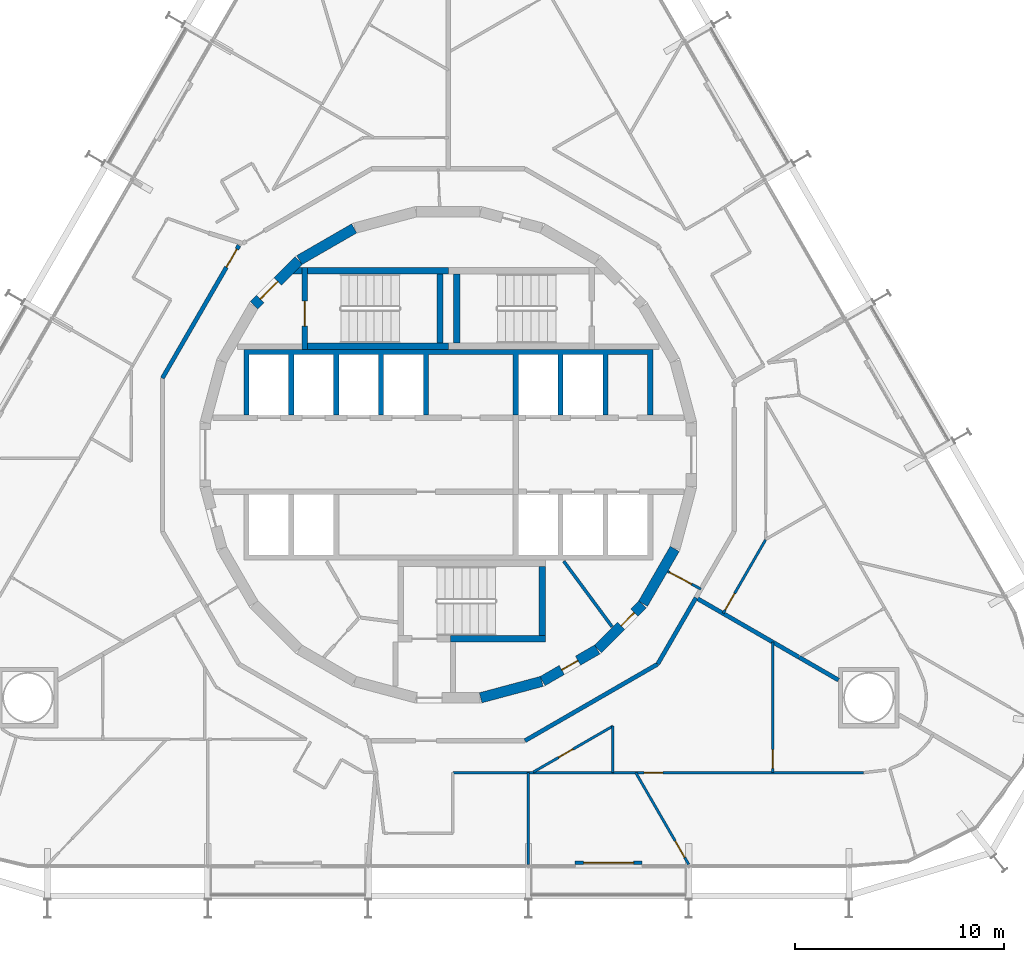
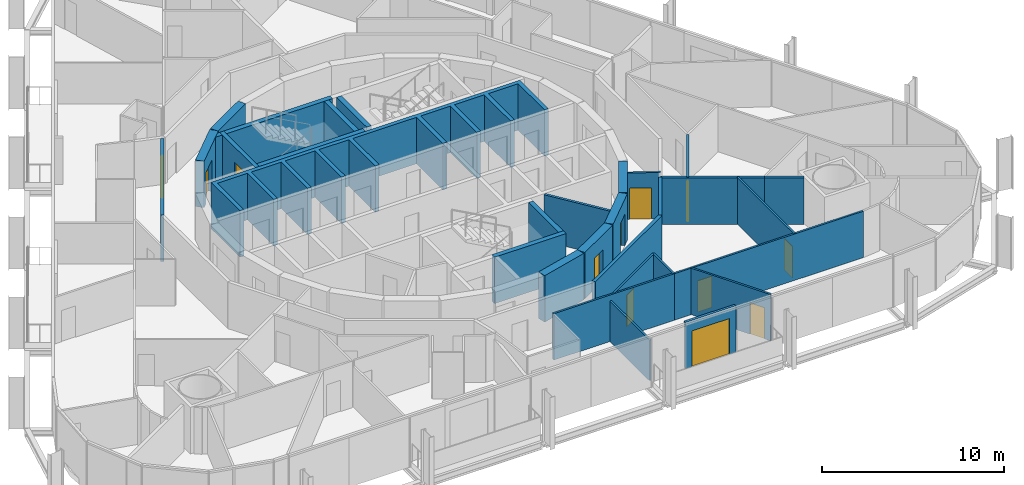
# One storey, part 15 of 20: 31 walls, 12 doors, 12 openings.
"""IFC4 building model written with IfcOpenShell, lengths in metres."""

from ifc_helpers import new_model, si_unit, direction, frame, frame_2d, origin, place, context, subcontext, project, spatial, polyline, rectangle, outline, extrude, material, layer, layer_set, type_object, element, fill, save


model = new_model("IFC4")

# Units and contexts
model_context = context("Model", 3, precision=1e-05, world=origin(), true_north=direction((0.0, 1.0)))
body_context = subcontext(model_context, "Body", "Model", "MODEL_VIEW")
ifc_project = project(units=[si_unit("LENGTHUNIT", "METRE"), si_unit("AREAUNIT", "SQUARE_METRE"), si_unit("VOLUMEUNIT", "CUBIC_METRE"), si_unit("PLANEANGLEUNIT", "RADIAN"), si_unit("MASSUNIT", "GRAM", prefix="KILO")], contexts=[model_context])

# Site, building, storey
site_placement = place(None, origin())
site = spatial("IfcSite", under=ifc_project, at=site_placement, CompositionType="ELEMENT")
building_placement = place(site_placement, origin())
building = spatial("IfcBuilding", under=site, at=building_placement, Name="Spindle Arch Residences", CompositionType="ELEMENT")
storey_placement = place(building_placement, frame((0.0, 0.0, 59.39990234375)))
storey = spatial("IfcBuildingStorey", under=building, at=storey_placement, Name="L13", CompositionType="ELEMENT", Elevation=59.39990234375)

# Wall
ifc_material_1 = material(Name="Concrete C50/60", Category="concrete")
ifc_layer_1 = layer(ifc_material_1, 0.5)
ifc_layer_set_1 = layer_set([ifc_layer_1], Name="Core outline wall 500")
wall_type_1 = type_object("IfcWallType", Name="Core outline wall 500", PredefinedType="SHEAR", material=ifc_layer_set_1)
wall_1_placement = place(storey_placement, frame((1.5498046875, -11.642822265625, 0.0), z_axis=(0.0, 0.0, 1.0), x_axis=(0.965948410781, 0.258734743916, 0.0)))
element("IfcWall", 1, at=wall_1_placement, inside=storey, type_object=wall_type_1, Name="Core outline wall 1", PredefinedType="SHEAR", context=body_context, shape_type="SweptSolid", body=[
    extrude(rectangle(XDim=3.03271484375, YDim=0.5, at=frame_2d((1.516357421875, 0.0))), origin(), (0.0, 0.0, 1.0), 3.1201171875),
])

# Wall, opening, door
wall_2_placement = place(storey_placement, frame((4.510498046875, -10.84521484375, 0.0), z_axis=(0.0, 0.0, 1.0), x_axis=(0.865975092491, 0.500087131594, 0.0)))
wall_2 = element("IfcWall", 2, at=wall_2_placement, inside=storey, type_object=wall_type_1, Name="Core outline wall 2", PredefinedType="SHEAR", context=body_context, shape_type="SweptSolid", body=[
    extrude(rectangle(XDim=3.03271484375, YDim=0.5, at=frame_2d((1.516357421875, 0.0))), origin(), (0.0, 0.0, 1.0), 3.1201171875),
])
opening_1_placement = place(wall_2_placement, frame((1.06640625, 0.0, 0.0)))
opening_1 = element("IfcOpeningElement", 3, at=opening_1_placement, cuts=wall_2, Name="Opening R1C0-WD06", PredefinedType="OPENING", context=body_context, shape_type="SweptSolid", body=[
    extrude(rectangle(XDim=0.89990234375, YDim=2.10009765625, at=frame_2d((0.449951171875, 1.050048828125))), frame((0.0, 0.260009765625, 0.0), z_axis=(0.0, -1.0, 0.0), x_axis=(1.0, 0.0, 0.0)), (0.0, 0.0, 1.0), 0.52001953125),
])
ifc_material_2 = material(Name="Steel, fire-resisting door", Category="steel")
door_type_1 = type_object("IfcDoorType", Name="Service room door 900x2100", OperationType="SINGLE_SWING_LEFT", PredefinedType="DOOR", material=ifc_material_2)
door_1_placement = place(opening_1_placement, origin())
door_1 = element("IfcDoor", 4, at=door_1_placement, inside=storey, type_object=door_type_1, Name="Service room door R1C0-WD06", OperationType="SINGLE_SWING_LEFT", OverallHeight=2.10009765625, OverallWidth=0.89990234375, PredefinedType="DOOR", context=body_context, shape_type="SweptSolid", body=[
    extrude(rectangle(XDim=0.89990234375, YDim=2.10009765625, at=frame_2d((0.449951171875, 1.050048828125))), frame((0.0, 0.02490234375, 0.0), z_axis=(0.0, -1.0, 0.0), x_axis=(1.0, 0.0, 0.0)), (0.0, 0.0, 1.0), 0.050048828125),
])
fill(opening_1, door_1)

wall_3_placement = place(storey_placement, frame((7.163818359375, -9.30810546875, 0.0), z_axis=(0.0, 0.0, 1.0), x_axis=(0.707106781187, 0.707106781187, 0.0)))
wall_3 = element("IfcWall", 5, at=wall_3_placement, inside=storey, type_object=wall_type_1, Name="Core outline wall 3", PredefinedType="SHEAR", context=body_context, shape_type="SweptSolid", body=[
    extrude(rectangle(XDim=3.032470703125, YDim=0.5, at=frame_2d((1.51611328125, 0.0))), origin(), (0.0, 0.0, 1.0), 3.1201171875),
])
opening_2_placement = place(wall_3_placement, frame((1.56640625, 0.0, 0.0)))
opening_2 = element("IfcOpeningElement", 6, at=opening_2_placement, cuts=wall_3, Name="Opening R1C0-WD07", PredefinedType="OPENING", context=body_context, shape_type="SweptSolid", body=[
    extrude(rectangle(XDim=0.89990234375, YDim=2.10009765625, at=frame_2d((0.449951171875, 1.050048828125))), frame((0.0, 0.260009765625, 0.0), z_axis=(0.0, -1.0, 0.0), x_axis=(1.0, 0.0, 0.0)), (0.0, 0.0, 1.0), 0.52001953125),
])
door_2_placement = place(opening_2_placement, origin())
door_2 = element("IfcDoor", 7, at=door_2_placement, inside=storey, type_object=door_type_1, Name="Service room door R1C0-WD07", OperationType="SINGLE_SWING_RIGHT", OverallHeight=2.10009765625, OverallWidth=0.89990234375, PredefinedType="DOOR", context=body_context, shape_type="SweptSolid", body=[
    extrude(rectangle(XDim=0.89990234375, YDim=2.10009765625, at=frame_2d((0.449951171875, 1.050048828125))), frame((0.0, 0.02490234375, 0.0), z_axis=(0.0, -1.0, 0.0), x_axis=(1.0, 0.0, 0.0)), (0.0, 0.0, 1.0), 0.050048828125),
])
fill(opening_2, door_2)

# Walls
for number, where, z_axis, x_axis, name in (
    (8, (9.32861328125, -7.13671875, 0.0), (0.0, 0.0, 1.0), (0.500087131594, 0.865975092491, 0.0), "Core outline wall 4"),
    (9, (-4.510498046875, 10.84521484375, 0.0), (0.0, 0.0, 1.0), (-0.865975092491, -0.500087131594, 0.0), "Core outline wall 14"),
):
    element("IfcWall", number, at=place(storey_placement, frame(where, z_axis=z_axis, x_axis=x_axis)), inside=storey, type_object=wall_type_1, Name=name, PredefinedType="SHEAR", context=body_context, shape_type="SweptSolid", body=[
        extrude(rectangle(XDim=3.03271484375, YDim=0.5, at=frame_2d((1.516357421875, 0.0))), origin(), (0.0, 0.0, 1.0), 3.1201171875),
    ])

# Wall, opening, door
wall_4_placement = place(storey_placement, frame((-7.163818359375, 9.30810546875, 0.0), z_axis=(0.0, 0.0, 1.0), x_axis=(-0.707106781187, -0.707106781187, 0.0)))
wall_4 = element("IfcWall", 10, at=wall_4_placement, inside=storey, type_object=wall_type_1, Name="Core outline wall 15", PredefinedType="SHEAR", context=body_context, shape_type="SweptSolid", body=[
    extrude(rectangle(XDim=3.032470703125, YDim=0.5, at=frame_2d((1.51611328125, 0.0))), origin(), (0.0, 0.0, 1.0), 3.1201171875),
])
opening_3_placement = place(wall_4_placement, frame((1.416259765625, 0.0, 0.0)))
opening_3 = element("IfcOpeningElement", 11, at=opening_3_placement, cuts=wall_4, Name="Opening R1C0-AD02", PredefinedType="OPENING", context=body_context, shape_type="SweptSolid", body=[
    extrude(rectangle(XDim=1.199951171875, YDim=2.10009765625, at=frame_2d((0.60009765625, 1.050048828125))), frame((0.0, 0.260009765625, 0.0), z_axis=(0.0, -1.0, 0.0), x_axis=(1.0, 0.0, 0.0)), (0.0, 0.0, 1.0), 0.52001953125),
])
ifc_material_3 = material(Name="Steel, fire-resisting door", Category="steel")
door_type_2 = type_object("IfcDoorType", Name="Stair airlock door 1200x2100", OperationType="SINGLE_SWING_LEFT", PredefinedType="DOOR", material=ifc_material_3)
door_3_placement = place(opening_3_placement, origin())
door_3 = element("IfcDoor", 12, at=door_3_placement, inside=storey, type_object=door_type_2, Name="Stair airlock door R1C0-AD02", OperationType="SINGLE_SWING_RIGHT", OverallHeight=2.10009765625, OverallWidth=1.199951171875, PredefinedType="DOOR", context=body_context, shape_type="SweptSolid", body=[
    extrude(rectangle(XDim=1.199951171875, YDim=2.10009765625, at=frame_2d((0.60009765625, 1.050048828125))), frame((0.0, 0.02490234375, 0.0), z_axis=(0.0, -1.0, 0.0), x_axis=(1.0, 0.0, 0.0)), (0.0, 0.0, 1.0), 0.050048828125),
])
fill(opening_3, door_3)

ifc_material_4 = material(Name="Plasterboard on steel studs", Category="steel")
ifc_layer_2 = layer(ifc_material_4, 0.1201171875)
ifc_layer_set_2 = layer_set([ifc_layer_2], Name="Corridor division wall 120")
wall_type_2 = type_object("IfcWallType", Name="Corridor division wall 120", PredefinedType="PARTITIONING", material=ifc_layer_set_2)
wall_5_placement = place(storey_placement, frame((10.510986328125, -5.5888671875, 0.0), z_axis=(0.0, 0.0, 1.0), x_axis=(0.88294043061, -0.469485032769, 0.0)))
wall_5 = element("IfcWall", 13, at=wall_5_placement, inside=storey, type_object=wall_type_2, Name="Corridor division wall R1C0-W002", PredefinedType="PARTITIONING", context=body_context, shape_type="SweptSolid", body=[
    extrude(rectangle(XDim=1.803955078125, YDim=0.1201171875, at=frame_2d((0.90185546875, 0.0))), origin(), (0.0, 0.0, 1.0), 3.1201171875),
])
opening_4_placement = place(wall_5_placement, frame((0.10009765625, 0.0, 0.0)))
opening_4 = element("IfcOpeningElement", 14, at=opening_4_placement, cuts=wall_5, Name="Opening R1C0-CD02", PredefinedType="OPENING", context=body_context, shape_type="SweptSolid", body=[
    extrude(rectangle(XDim=1.199951171875, YDim=2.10009765625, at=frame_2d((0.60009765625, 1.050048828125))), frame((0.0, 0.070068359375, 0.0), z_axis=(0.0, -1.0, 0.0), x_axis=(1.0, 0.0, 0.0)), (0.0, 0.0, 1.0), 0.14013671875),
])
ifc_material_5 = material(Name="Steel, fire-resisting door", Category="steel")
door_type_3 = type_object("IfcDoorType", Name="Corridor division door 1200x2100", OperationType="NOTDEFINED", PredefinedType="DOOR", material=ifc_material_5)
door_4_placement = place(opening_4_placement, origin())
door_4 = element("IfcDoor", 15, at=door_4_placement, inside=storey, type_object=door_type_3, Name="Corridor division door R1C0-CD02", OperationType="DOUBLE_DOOR_SINGLE_SWING", OverallHeight=2.10009765625, OverallWidth=1.199951171875, PredefinedType="DOOR", context=body_context, shape_type="SweptSolid", body=[
    extrude(rectangle(XDim=1.199951171875, YDim=2.10009765625, at=frame_2d((0.60009765625, 1.050048828125))), frame((0.0, 0.02490234375, 0.0), z_axis=(0.0, -1.0, 0.0), x_axis=(1.0, 0.0, 0.0)), (0.0, 0.0, 1.0), 0.050048828125),
])
fill(opening_4, door_4)

ifc_material_6 = material(Name="Calcium silicate block, plastered")
ifc_layer_3 = layer(ifc_material_6, 0.199951171875)
ifc_layer_set_3 = layer_set([ifc_layer_3], Name="Corridor wall 200")
wall_type_3 = type_object("IfcWallType", Name="Corridor wall 200", PredefinedType="STANDARD", material=ifc_layer_set_3)
wall_6_placement = place(storey_placement, frame((-10.029052734375, 10.029052734375, 0.0), z_axis=(0.0, 0.0, 1.0), x_axis=(-0.500001669485, -0.866024439905, 0.0)))
wall_6 = element("IfcWall", 16, at=wall_6_placement, inside=storey, type_object=wall_type_3, Name="Corridor wall R1C0-W010", PredefinedType="STANDARD", context=body_context, shape_type="SweptSolid", body=[
    extrude(rectangle(XDim=7.341796875, YDim=0.199951171875, at=frame_2d((3.6708984375, 0.0))), origin(), (0.0, 0.0, 1.0), 3.1201171875),
])
opening_5_placement = place(wall_6_placement, frame((0.199951171875, 0.0, 0.0)))
opening_5 = element("IfcOpeningElement", 17, at=opening_5_placement, cuts=wall_6, Name="Opening R1C0-FD03", PredefinedType="OPENING", context=body_context, shape_type="SweptSolid", body=[
    extrude(rectangle(XDim=1.0, YDim=2.10009765625, at=frame_2d((0.5, 1.050048828125))), frame((0.0, 0.10986328125, 0.0), z_axis=(0.0, -1.0, 0.0), x_axis=(1.0, 0.0, 0.0)), (0.0, 0.0, 1.0), 0.219970703125),
])
ifc_material_7 = material(Name="Timber, fire-resisting door set", Category="wood")
door_type_4 = type_object("IfcDoorType", Name="Flat entrance door 1000x2100", OperationType="NOTDEFINED", PredefinedType="DOOR", material=ifc_material_7)
door_5_placement = place(opening_5_placement, origin())
door_5 = element("IfcDoor", 18, at=door_5_placement, inside=storey, type_object=door_type_4, Name="Flat entrance door R1C0-FD03", OperationType="SINGLE_SWING_LEFT", OverallHeight=2.10009765625, OverallWidth=1.0, PredefinedType="DOOR", context=body_context, shape_type="SweptSolid", body=[
    extrude(rectangle(XDim=1.0, YDim=2.10009765625, at=frame_2d((0.5, 1.050048828125))), frame((0.0, 0.02490234375, 0.0), z_axis=(0.0, -1.0, 0.0), x_axis=(1.0, 0.0, 0.0)), (0.0, 0.0, 1.0), 0.050048828125),
])
fill(opening_5, door_5)

# Walls
wall_7_placement = place(storey_placement, frame((3.6708984375, -13.699951171875, 0.0), z_axis=(0.0, 0.0, 1.0), x_axis=(0.866024439905, 0.500001669485, 0.0)))
element("IfcWall", 19, at=wall_7_placement, inside=storey, type_object=wall_type_3, Name="Corridor wall R1C0-W015", PredefinedType="STANDARD", context=body_context, shape_type="SweptSolid", body=[
    extrude(rectangle(XDim=7.341796875, YDim=0.199951171875, at=frame_2d((3.6708984375, 0.0))), origin(), (0.0, 0.0, 1.0), 3.1201171875),
])
wall_8_placement = place(storey_placement, frame((10.029052734375, -10.029052734375, 0.0), z_axis=(0.0, 0.0, 1.0), x_axis=(0.50001606911, 0.866016126081, 0.0)))
element("IfcWall", 20, at=wall_8_placement, inside=storey, type_object=wall_type_3, Name="Corridor wall R1C0-W016", PredefinedType="STANDARD", context=body_context, shape_type="SweptSolid", body=[
    extrude(rectangle(XDim=3.6708984375, YDim=0.199951171875, at=frame_2d((1.83544921875, 0.0))), origin(), (0.0, 0.0, 1.0), 3.1201171875),
])
ifc_material_8 = material(Name="Plasterboard on steel studs", Category="steel")
ifc_layer_4 = layer(ifc_material_8, 0.1201171875)
ifc_layer_set_4 = layer_set([ifc_layer_4], Name="Flat partition 120")
wall_type_4 = type_object("IfcWallType", Name="Flat partition 120", PredefinedType="PARTITIONING", material=ifc_layer_set_4)
wall_9_placement = place(storey_placement, frame((0.21484375, -15.22998046875, 0.0), z_axis=(0.0, 0.0, 1.0), x_axis=(1.0, 0.0, 0.0)))
element("IfcWall", 21, at=wall_9_placement, inside=storey, type_object=wall_type_4, Name="Flat partition R1C0-W099", PredefinedType="PARTITIONING", context=body_context, shape_type="SweptSolid", body=[
    extrude(rectangle(XDim=7.66650390625, YDim=0.1201171875, at=frame_2d((3.833251953125, 0.0))), origin(), (0.0, 0.0, 1.0), 3.1201171875),
])

# Wall, opening, door
wall_10_placement = place(storey_placement, frame((7.88134765625, -15.22998046875, 0.0), z_axis=(0.0, 0.0, 1.0), x_axis=(1.0, 0.0, 0.0)))
wall_10 = element("IfcWall", 22, at=wall_10_placement, inside=storey, type_object=wall_type_4, Name="Flat partition R1C0-W100", PredefinedType="PARTITIONING", context=body_context, shape_type="SweptSolid", body=[
    extrude(rectangle(XDim=12.006103515625, YDim=0.1201171875, at=frame_2d((6.0029296875, 0.0))), origin(), (0.0, 0.0, 1.0), 3.1201171875),
])
opening_6_placement = place(wall_10_placement, frame((1.49853515625, 0.0, 0.0)))
opening_6 = element("IfcOpeningElement", 23, at=opening_6_placement, cuts=wall_10, Name="Opening R1C0-ID25", PredefinedType="OPENING", context=body_context, shape_type="SweptSolid", body=[
    extrude(rectangle(XDim=0.89990234375, YDim=2.10009765625, at=frame_2d((0.449951171875, 1.050048828125))), frame((0.0, 0.070068359375, 0.0), z_axis=(0.0, -1.0, 0.0), x_axis=(1.0, 0.0, 0.0)), (0.0, 0.0, 1.0), 0.14013671875),
])
ifc_material_9 = material(Name="Timber door set", Category="wood")
door_type_5 = type_object("IfcDoorType", Name="Room door 900x2100", OperationType="NOTDEFINED", PredefinedType="DOOR", material=ifc_material_9)
door_6_placement = place(opening_6_placement, origin())
door_6 = element("IfcDoor", 24, at=door_6_placement, inside=storey, type_object=door_type_5, Name="Room door R1C0-ID25", OperationType="SINGLE_SWING_RIGHT", OverallHeight=2.10009765625, OverallWidth=0.89990234375, PredefinedType="DOOR", context=body_context, shape_type="SweptSolid", body=[
    extrude(rectangle(XDim=0.89990234375, YDim=2.10009765625, at=frame_2d((0.449951171875, 1.050048828125))), frame((0.0, 0.02490234375, 0.0), z_axis=(0.0, -1.0, 0.0), x_axis=(1.0, 0.0, 0.0)), (0.0, 0.0, 1.0), 0.050048828125),
])
fill(opening_6, door_6)

wall_11_placement = place(storey_placement, frame((4.07275390625, -15.199951171875, 0.0), z_axis=(0.0, 0.0, 1.0), x_axis=(0.866041369968, 0.499972344739, 0.0)))
wall_11 = element("IfcWall", 25, at=wall_11_placement, inside=storey, type_object=wall_type_4, Name="Flat partition R1C0-W101", PredefinedType="PARTITIONING", context=body_context, shape_type="SweptSolid", body=[
    extrude(rectangle(XDim=4.397705078125, YDim=0.1201171875, at=frame_2d((2.19873046875, 0.0))), origin(), (0.0, 0.0, 1.0), 3.1201171875),
])
opening_7_placement = place(wall_11_placement, frame((1.39990234375, 0.0, 0.0)))
opening_7 = element("IfcOpeningElement", 26, at=opening_7_placement, cuts=wall_11, Name="Opening R1C0-BD06", PredefinedType="OPENING", context=body_context, shape_type="SweptSolid", body=[
    extrude(rectangle(XDim=0.800048828125, YDim=2.10009765625, at=frame_2d((0.39990234375, 1.050048828125))), frame((0.0, 0.070068359375, 0.0), z_axis=(0.0, -1.0, 0.0), x_axis=(1.0, 0.0, 0.0)), (0.0, 0.0, 1.0), 0.14013671875),
])
ifc_material_10 = material(Name="Timber door set", Category="wood")
door_type_6 = type_object("IfcDoorType", Name="Bathroom door 800x2100", OperationType="NOTDEFINED", PredefinedType="DOOR", material=ifc_material_10)
door_7_placement = place(opening_7_placement, origin())
door_7 = element("IfcDoor", 27, at=door_7_placement, inside=storey, type_object=door_type_6, Name="Bathroom door R1C0-BD06", OperationType="SINGLE_SWING_RIGHT", OverallHeight=2.10009765625, OverallWidth=0.800048828125, PredefinedType="DOOR", context=body_context, shape_type="SweptSolid", body=[
    extrude(rectangle(XDim=0.800048828125, YDim=2.10009765625, at=frame_2d((0.39990234375, 1.050048828125))), frame((0.0, 0.02490234375, 0.0), z_axis=(0.0, -1.0, 0.0), x_axis=(1.0, 0.0, 0.0)), (0.0, 0.0, 1.0), 0.050048828125),
])
fill(opening_7, door_7)

# Wall
wall_12_placement = place(storey_placement, frame((7.88134765625, -13.001220703125, 0.0), z_axis=(0.0, 0.0, 1.0), x_axis=(0.0, -1.0, 0.0)))
element("IfcWall", 28, at=wall_12_placement, inside=storey, type_object=wall_type_4, Name="Flat partition R1C0-W102", PredefinedType="PARTITIONING", context=body_context, shape_type="SweptSolid", body=[
    extrude(rectangle(XDim=2.228759765625, YDim=0.1201171875, at=frame_2d((1.1142578125, 0.0))), origin(), (0.0, 0.0, 1.0), 3.1201171875),
])

# Wall, opening, door
wall_13_placement = place(storey_placement, frame((15.5478515625, -15.22998046875, 0.0), z_axis=(0.0, 0.0, 1.0), x_axis=(0.0, 1.0, 0.0)))
wall_13 = element("IfcWall", 29, at=wall_13_placement, inside=storey, type_object=wall_type_4, Name="Flat partition R1C0-W103", PredefinedType="PARTITIONING", context=body_context, shape_type="SweptSolid", body=[
    extrude(rectangle(XDim=6.25341796875, YDim=0.1201171875, at=frame_2d((3.126708984375, 0.0))), origin(), (0.0, 0.0, 1.0), 3.1201171875),
])
opening_8_placement = place(wall_13_placement, frame((0.199951171875, 0.0, 0.0)))
opening_8 = element("IfcOpeningElement", 30, at=opening_8_placement, cuts=wall_13, Name="Opening R1C0-ID26", PredefinedType="OPENING", context=body_context, shape_type="SweptSolid", body=[
    extrude(rectangle(XDim=0.89990234375, YDim=2.10009765625, at=frame_2d((0.449951171875, 1.050048828125))), frame((0.0, 0.070068359375, 0.0), z_axis=(0.0, -1.0, 0.0), x_axis=(1.0, 0.0, 0.0)), (0.0, 0.0, 1.0), 0.14013671875),
])
door_8_placement = place(opening_8_placement, origin())
door_8 = element("IfcDoor", 31, at=door_8_placement, inside=storey, type_object=door_type_5, Name="Room door R1C0-ID26", OperationType="SINGLE_SWING_RIGHT", OverallHeight=2.10009765625, OverallWidth=0.89990234375, PredefinedType="DOOR", context=body_context, shape_type="SweptSolid", body=[
    extrude(rectangle(XDim=0.89990234375, YDim=2.10009765625, at=frame_2d((0.449951171875, 1.050048828125))), frame((0.0, 0.02490234375, 0.0), z_axis=(0.0, -1.0, 0.0), x_axis=(1.0, 0.0, 0.0)), (0.0, 0.0, 1.0), 0.050048828125),
])
fill(opening_8, door_8)

wall_14_placement = place(storey_placement, frame((11.52001953125, -19.6298828125, 0.0), z_axis=(0.0, 0.0, 1.0), x_axis=(-0.499999763888, 0.866025540104, 0.0)))
wall_14 = element("IfcWall", 32, at=wall_14_placement, inside=storey, type_object=wall_type_4, Name="Flat partition R1C0-W105", PredefinedType="PARTITIONING", context=body_context, shape_type="SweptSolid", body=[
    extrude(rectangle(XDim=5.08056640625, YDim=0.1201171875, at=frame_2d((2.540283203125, 0.0))), origin(), (0.0, 0.0, 1.0), 3.1201171875),
])
opening_9_placement = place(wall_14_placement, frame((0.39990234375, 0.0, 0.0)))
opening_9 = element("IfcOpeningElement", 33, at=opening_9_placement, cuts=wall_14, Name="Opening R1C0-ID27", PredefinedType="OPENING", context=body_context, shape_type="SweptSolid", body=[
    extrude(rectangle(XDim=0.89990234375, YDim=2.10009765625, at=frame_2d((0.449951171875, 1.050048828125))), frame((0.0, 0.070068359375, 0.0), z_axis=(0.0, -1.0, 0.0), x_axis=(1.0, 0.0, 0.0)), (0.0, 0.0, 1.0), 0.14013671875),
])
door_9_placement = place(opening_9_placement, origin())
door_9 = element("IfcDoor", 34, at=door_9_placement, inside=storey, type_object=door_type_5, Name="Room door R1C0-ID27", OperationType="SINGLE_SWING_LEFT", OverallHeight=2.10009765625, OverallWidth=0.89990234375, PredefinedType="DOOR", context=body_context, shape_type="SweptSolid", body=[
    extrude(rectangle(XDim=0.89990234375, YDim=2.10009765625, at=frame_2d((0.449951171875, 1.050048828125))), frame((0.0, 0.02490234375, 0.0), z_axis=(0.0, -1.0, 0.0), x_axis=(1.0, 0.0, 0.0)), (0.0, 0.0, 1.0), 0.050048828125),
])
fill(opening_9, door_9)

wall_15_placement = place(storey_placement, frame((13.16357421875, -7.60009765625, 0.0), z_axis=(0.0, 0.0, 1.0), x_axis=(0.499974973053, 0.866039852617, 0.0)))
wall_15 = element("IfcWall", 35, at=wall_15_placement, inside=storey, type_object=wall_type_4, Name="Flat partition R1C0-W114", PredefinedType="PARTITIONING", context=body_context, shape_type="SweptSolid", body=[
    extrude(rectangle(XDim=4.072998046875, YDim=0.1201171875, at=frame_2d((2.03662109375, 0.0))), origin(), (0.0, 0.0, 1.0), 3.1201171875),
])
opening_10_placement = place(wall_15_placement, frame((0.199951171875, 0.0, 0.0)))
opening_10 = element("IfcOpeningElement", 36, at=opening_10_placement, cuts=wall_15, Name="Opening R1C0-ID30", PredefinedType="OPENING", context=body_context, shape_type="SweptSolid", body=[
    extrude(rectangle(XDim=0.89990234375, YDim=2.10009765625, at=frame_2d((0.449951171875, 1.050048828125))), frame((0.0, 0.070068359375, 0.0), z_axis=(0.0, -1.0, 0.0), x_axis=(1.0, 0.0, 0.0)), (0.0, 0.0, 1.0), 0.14013671875),
])
door_10_placement = place(opening_10_placement, origin())
door_10 = element("IfcDoor", 37, at=door_10_placement, inside=storey, type_object=door_type_5, Name="Room door R1C0-ID30", OperationType="SINGLE_SWING_LEFT", OverallHeight=2.10009765625, OverallWidth=0.89990234375, PredefinedType="DOOR", context=body_context, shape_type="SweptSolid", body=[
    extrude(rectangle(XDim=0.89990234375, YDim=2.10009765625, at=frame_2d((0.449951171875, 1.050048828125))), frame((0.0, 0.02490234375, 0.0), z_axis=(0.0, -1.0, 0.0), x_axis=(1.0, 0.0, 0.0)), (0.0, 0.0, 1.0), 0.050048828125),
])
fill(opening_10, door_10)

# Walls
ifc_material_11 = material(Name="Plasterboard on steel studs", Category="steel")
ifc_layer_5 = layer(ifc_material_11, 0.1201171875)
ifc_layer_set_5 = layer_set([ifc_layer_5], Name="Flat partition 120 under beam 2730")
wall_type_5 = type_object("IfcWallType", Name="Flat partition 120 under beam 2730", PredefinedType="PARTITIONING", material=ifc_layer_set_5)
wall_16_placement = place(storey_placement, frame((3.840087890625, -19.6298828125, 0.0), z_axis=(0.0, 0.0, 1.0), x_axis=(0.0, 1.0, 0.0)))
element("IfcWall", 38, at=wall_16_placement, inside=storey, type_object=wall_type_5, Name="Flat partition R1C0-W104", PredefinedType="PARTITIONING", context=body_context, shape_type="SweptSolid", body=[
    extrude(rectangle(XDim=4.39990234375, YDim=0.1201171875, at=frame_2d((2.199951171875, 0.0))), origin(), (0.0, 0.0, 1.0), 2.72998046875),
])
ifc_material_12 = material(Name="Calcium silicate block, plastered")
ifc_layer_6 = layer(ifc_material_12, 0.199951171875)
ifc_layer_set_6 = layer_set([ifc_layer_6], Name="Flat party wall 200")
wall_type_6 = type_object("IfcWallType", Name="Flat party wall 200", PredefinedType="STANDARD", material=ifc_layer_set_6)
wall_17_placement = place(storey_placement, frame((16.816650390625, -9.708984375, 0.0), z_axis=(0.0, 0.0, 1.0), x_axis=(-0.86604338933, 0.499968846828, 0.0)))
element("IfcWall", 39, at=wall_17_placement, inside=storey, type_object=wall_type_6, Name="Flat party wall R1C0-W029", PredefinedType="STANDARD", context=body_context, shape_type="SweptSolid", body=[
    extrude(rectangle(XDim=5.718017578125, YDim=0.199951171875, at=frame_2d((2.85888671875, 0.0))), origin(), (0.0, 0.0, 1.0), 3.1201171875),
])
wall_18_placement = place(storey_placement, frame((18.693603515625, -10.792724609375, 0.0), z_axis=(0.0, 0.0, 1.0), x_axis=(-0.866009251978, 0.500027974705, 0.0)))
element("IfcWall", 40, at=wall_18_placement, inside=storey, type_object=wall_type_6, Name="Flat party wall R1C0-W031", PredefinedType="STANDARD", context=body_context, shape_type="SweptSolid", body=[
    extrude(rectangle(XDim=2.16748046875, YDim=0.199951171875, at=frame_2d((1.083740234375, 0.0))), origin(), (0.0, 0.0, 1.0), 3.1201171875),
])

# Wall, opening, door
ifc_material_13 = material(Name="Non-combustible mineral wool insulated aluminium faced external wall (K0)", Category="aluminium")
ifc_layer_7 = layer(ifc_material_13, 0.159912109375)
ifc_layer_set_7 = layer_set([ifc_layer_7], Name="Insulated external wall panel 160")
wall_type_7 = type_object("IfcWallType", Name="Insulated external wall panel 160", PredefinedType="STANDARD", material=ifc_layer_set_7)
wall_19_placement = place(storey_placement, frame((6.080078125, -19.5498046875, 0.0), z_axis=(0.0, 0.0, 1.0), x_axis=(1.0, 0.0, 0.0)))
wall_19 = element("IfcWall", 41, at=wall_19_placement, inside=storey, type_object=wall_type_7, Name="External wall L13 bay 1", PredefinedType="STANDARD", context=body_context, shape_type="SweptSolid", body=[
    extrude(rectangle(XDim=3.199951171875, YDim=0.159912109375, at=frame_2d((1.60009765625, 0.0))), origin(), (0.0, 0.0, 1.0), 3.1201171875),
])
opening_11_placement = place(wall_19_placement, frame((0.39990234375, 0.0, 0.0)))
opening_11 = element("IfcOpeningElement", 42, at=opening_11_placement, cuts=wall_19, Name="Opening BD01", PredefinedType="OPENING", context=body_context, shape_type="SweptSolid", body=[
    extrude(rectangle(XDim=2.39990234375, YDim=2.39990234375, at=frame_2d((1.199951171875, 1.199951171875))), frame((0.0, 0.08984375, 0.0), z_axis=(0.0, -1.0, 0.0), x_axis=(1.0, 0.0, 0.0)), (0.0, 0.0, 1.0), 0.179931640625),
])
ifc_material_14 = material(Name="Bronze aluminium frame, tinted double glazing", Category="aluminium")
door_type_7 = type_object("IfcDoorType", Name="Sliding glazed balcony door 2400x2400", OperationType="DOUBLE_DOOR_SLIDING", PredefinedType="DOOR", material=ifc_material_14)
door_11_placement = place(opening_11_placement, origin())
door_11 = element("IfcDoor", 43, at=door_11_placement, inside=storey, type_object=door_type_7, Name="Balcony door BD01", OperationType="DOUBLE_DOOR_SLIDING", OverallHeight=2.39990234375, OverallWidth=2.39990234375, PredefinedType="DOOR", context=body_context, shape_type="SweptSolid", body=[
    extrude(rectangle(XDim=2.39990234375, YDim=2.39990234375, at=frame_2d((1.199951171875, 1.199951171875))), frame((0.0, 0.02490234375, 0.0), z_axis=(0.0, -1.0, 0.0), x_axis=(1.0, 0.0, 0.0)), (0.0, 0.0, 1.0), 0.050048828125),
])
fill(opening_11, door_11)

# Walls
ifc_material_15 = material(Name="Concrete C50/60", Category="concrete")
wall_type_8 = type_object("IfcWallType", Name="Lift shaft wall profile", PredefinedType="SHEAR", material=ifc_material_15)
wall_20_placement = place(storey_placement, origin())
element("IfcWall", 44, at=wall_20_placement, inside=storey, type_object=wall_type_8, Name="Lift shaft walls N", PredefinedType="SHEAR", context=body_context, shape_type="SweptSolid", body=[
    extrude(outline(polyline([(-9.550048828125, 4.800048828125), (-7.64990234375, 4.800048828125), (-7.64990234375, 1.89990234375), (-7.39990234375, 1.89990234375), (-7.39990234375, 4.800048828125), (-5.5, 4.800048828125), (-5.5, 1.89990234375), (-5.25, 1.89990234375), (-5.25, 4.800048828125), (-3.35009765625, 4.800048828125), (-3.35009765625, 1.89990234375), (-3.10009765625, 1.89990234375), (-3.10009765625, 4.800048828125), (-1.199951171875, 4.800048828125), (-1.199951171875, 1.89990234375), (-0.949951171875, 1.89990234375), (-0.949951171875, 4.800048828125), (3.10009765625, 4.800048828125), (3.10009765625, 1.89990234375), (3.35009765625, 1.89990234375), (3.35009765625, 4.800048828125), (5.25, 4.800048828125), (5.25, 1.89990234375), (5.5, 1.89990234375), (5.5, 4.800048828125), (7.39990234375, 4.800048828125), (7.39990234375, 1.89990234375), (7.64990234375, 1.89990234375), (7.64990234375, 4.800048828125), (9.550048828125, 4.800048828125), (9.550048828125, 1.89990234375), (9.800048828125, 1.89990234375), (9.800048828125, 4.800048828125), (9.800048828125, 5.050048828125), (-9.800048828125, 5.050048828125), (-9.800048828125, 4.800048828125), (-9.800048828125, 1.89990234375), (-9.550048828125, 1.89990234375), (-9.550048828125, 4.800048828125)])), origin(), (0.0, 0.0, 1.0), 3.1201171875),
])
ifc_material_16 = material(Name="Concrete C25/30", Category="concrete")
ifc_layer_8 = layer(ifc_material_16, 0.14990234375)
ifc_layer_set_8 = layer_set([ifc_layer_8], Name="Service room partition 150")
wall_type_9 = type_object("IfcWallType", Name="Service room partition 150", PredefinedType="PARTITIONING", material=ifc_layer_set_8)
wall_21_placement = place(storey_placement, frame((5.528076171875, -5.098388671875, 0.0), z_axis=(0.0, 0.0, 1.0), x_axis=(0.594034318069, -0.804439698769, 0.0)))
element("IfcWall", 45, at=wall_21_placement, inside=storey, type_object=wall_type_9, Name="Core service room partition", PredefinedType="PARTITIONING", context=body_context, shape_type="SweptSolid", body=[
    extrude(rectangle(XDim=3.90673828125, YDim=0.14990234375, at=frame_2d((1.953369140625, 0.0))), origin(), (0.0, 0.0, 1.0), 3.1201171875),
])
ifc_material_17 = material(Name="Concrete C40/50", Category="concrete")
wall_type_10 = type_object("IfcWallType", Name="Stair airlock wall profile", PredefinedType="SHEAR", material=ifc_material_17)
wall_22_placement = place(storey_placement, origin())
element("IfcWall", 46, at=wall_22_placement, inside=storey, type_object=wall_type_10, Name="Stair ST-2 airlock wall N", PredefinedType="SHEAR", context=body_context, shape_type="SweptSolid", body=[
    extrude(outline(polyline([(-7.148193359375, 8.969970703125), (-7.0, 8.969970703125), (-7.0, 8.669921875), (-7.4482421875, 8.669921875), (-7.148193359375, 8.969970703125)])), origin(), (0.0, 0.0, 1.0), 3.1201171875),
])

# Wall, opening, door
ifc_material_18 = material(Name="Concrete C50/60", Category="concrete")
ifc_layer_9 = layer(ifc_material_18, 0.25)
ifc_layer_set_9 = layer_set([ifc_layer_9], Name="Stair enclosure wall 250")
wall_type_11 = type_object("IfcWallType", Name="Stair enclosure wall 250", PredefinedType="SHEAR", material=ifc_layer_set_9)
wall_23_placement = place(storey_placement, frame((-6.875, 8.969970703125, 0.0), z_axis=(0.0, 0.0, 1.0), x_axis=(0.0, -1.0, 0.0)))
wall_23 = element("IfcWall", 47, at=wall_23_placement, inside=storey, type_object=wall_type_11, Name="Stair ST-2 door wall", PredefinedType="SHEAR", context=body_context, shape_type="SweptSolid", body=[
    extrude(rectangle(XDim=3.919921875, YDim=0.25, at=frame_2d((1.9599609375, 0.0))), origin(), (0.0, 0.0, 1.0), 3.1201171875),
])
opening_12_placement = place(wall_23_placement, frame((1.610107421875, 0.0, 0.0)))
opening_12 = element("IfcOpeningElement", 48, at=opening_12_placement, cuts=wall_23, Name="Opening R1C0-SD02", PredefinedType="OPENING", context=body_context, shape_type="SweptSolid", body=[
    extrude(rectangle(XDim=1.199951171875, YDim=2.10009765625, at=frame_2d((0.60009765625, 1.050048828125))), frame((0.0, 0.135009765625, 0.0), z_axis=(0.0, -1.0, 0.0), x_axis=(1.0, 0.0, 0.0)), (0.0, 0.0, 1.0), 0.27001953125),
])
ifc_material_19 = material(Name="Steel, fire-resisting door", Category="steel")
door_type_8 = type_object("IfcDoorType", Name="Stair door 1200x2100", OperationType="SINGLE_SWING_RIGHT", PredefinedType="DOOR", material=ifc_material_19)
door_12_placement = place(opening_12_placement, origin())
door_12 = element("IfcDoor", 49, at=door_12_placement, inside=storey, type_object=door_type_8, Name="Stair door R1C0-SD02", OperationType="SINGLE_SWING_LEFT", OverallHeight=2.10009765625, OverallWidth=1.199951171875, PredefinedType="DOOR", context=body_context, shape_type="SweptSolid", body=[
    extrude(rectangle(XDim=1.199951171875, YDim=2.10009765625, at=frame_2d((0.60009765625, 1.050048828125))), frame((0.0, 0.02490234375, 0.0), z_axis=(0.0, -1.0, 0.0), x_axis=(1.0, 0.0, 0.0)), (0.0, 0.0, 1.0), 0.050048828125),
])
fill(opening_12, door_12)

# Walls
ifc_material_20 = material(Name="Concrete C50/60", Category="concrete")
ifc_layer_10 = layer(ifc_material_20, 0.300048828125)
ifc_layer_set_10 = layer_set([ifc_layer_10], Name="Stair enclosure wall 300")
wall_type_12 = type_object("IfcWallType", Name="Stair enclosure wall 300", PredefinedType="SHEAR", material=ifc_layer_set_10)
wall_24_placement = place(storey_placement, frame((0.39990234375, 5.35009765625, 0.0), z_axis=(0.0, 0.0, 1.0), x_axis=(0.0, 1.0, 0.0)))
element("IfcWall", 50, at=wall_24_placement, inside=storey, type_object=wall_type_12, Name="Stair ST-1 enclosure wall F", PredefinedType="SHEAR", context=body_context, shape_type="SweptSolid", body=[
    extrude(rectangle(XDim=3.31982421875, YDim=0.300048828125, at=frame_2d((1.659912109375, 0.0))), origin(), (0.0, 0.0, 1.0), 3.1201171875),
])
for number, where, z_axis, x_axis, name in (
    (51, (-6.75, 5.199951171875, 0.0), (0.0, 0.0, 1.0), (1.0, 0.0, 0.0), "Stair ST-2 enclosure wall S"),
    (52, (-6.75, 8.820068359375, 0.0), (0.0, 0.0, 1.0), (1.0, 0.0, 0.0), "Stair ST-2 enclosure wall N"),
):
    element("IfcWall", number, at=place(storey_placement, frame(where, z_axis=z_axis, x_axis=x_axis)), inside=storey, type_object=wall_type_12, Name=name, PredefinedType="SHEAR", context=body_context, shape_type="SweptSolid", body=[
        extrude(rectangle(XDim=6.75, YDim=0.300048828125, at=frame_2d((3.375, 0.0))), origin(), (0.0, 0.0, 1.0), 3.1201171875),
    ])
for number, where, z_axis, x_axis, name in (
    (53, (-0.39990234375, 5.35009765625, 0.0), (0.0, 0.0, 1.0), (0.0, 1.0, 0.0), "Stair ST-2 enclosure wall F"),
    (54, (4.5, -8.669921875, 0.0), (0.0, 0.0, 1.0), (0.0, 1.0, 0.0), "Stair ST-3 enclosure wall E"),
):
    element("IfcWall", number, at=place(storey_placement, frame(where, z_axis=z_axis, x_axis=x_axis)), inside=storey, type_object=wall_type_12, Name=name, PredefinedType="SHEAR", context=body_context, shape_type="SweptSolid", body=[
        extrude(rectangle(XDim=3.31982421875, YDim=0.300048828125, at=frame_2d((1.659912109375, 0.0))), origin(), (0.0, 0.0, 1.0), 3.1201171875),
    ])
wall_25_placement = place(storey_placement, frame((0.10009765625, -8.820068359375, 0.0), z_axis=(0.0, 0.0, 1.0), x_axis=(1.0, 0.0, 0.0)))
element("IfcWall", 55, at=wall_25_placement, inside=storey, type_object=wall_type_12, Name="Stair ST-3 enclosure wall S", PredefinedType="SHEAR", context=body_context, shape_type="SweptSolid", body=[
    extrude(rectangle(XDim=4.5498046875, YDim=0.300048828125, at=frame_2d((2.27490234375, 0.0))), origin(), (0.0, 0.0, 1.0), 3.1201171875),
])

save(model, "model.ifc")
